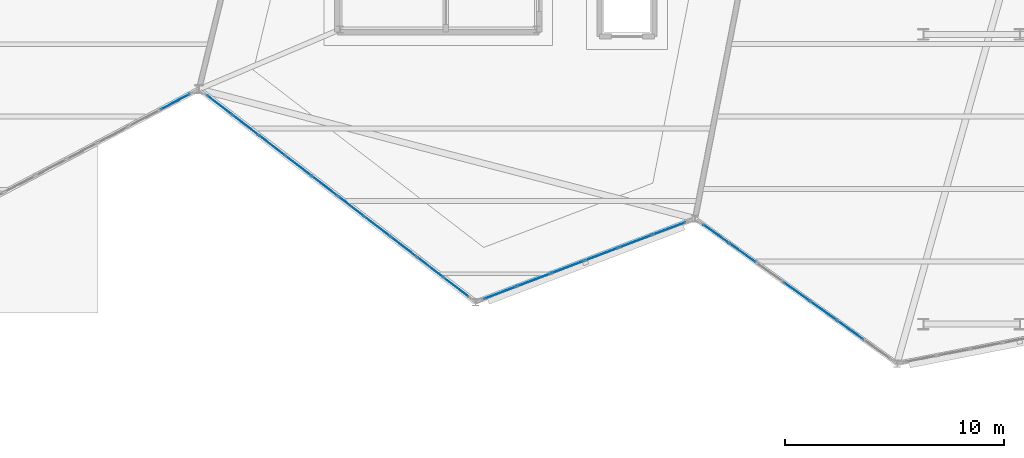
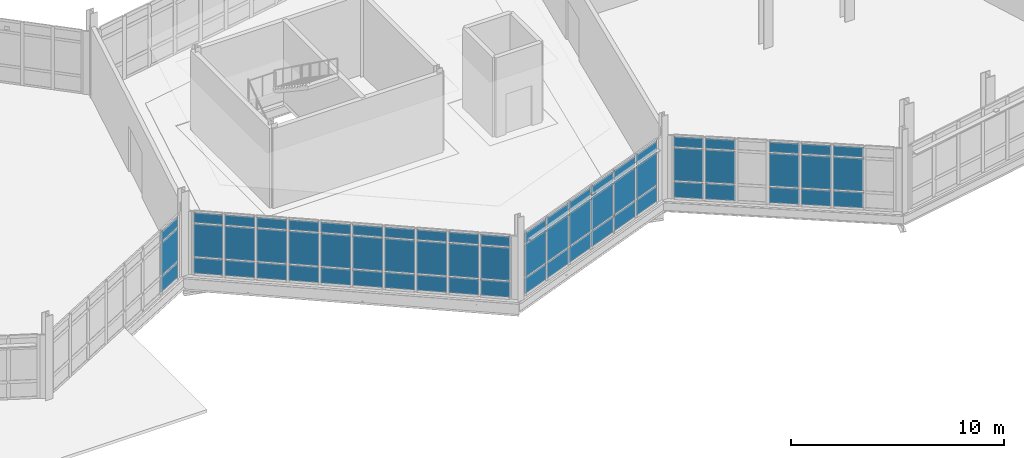
# One storey, part 87 of 134: 66 plates, 4 elements without a shape of their own.
"""IFC4 building model written with IfcOpenShell, lengths in metres."""

from ifc_helpers import new_model, si_unit, direction, frame, origin, origin_2d, place, context, subcontext, project, spatial, rectangle, extrude, material, layer, layer_set, type_object, element, aggregate, save


model = new_model("IFC4")

# Units and contexts
model_context = context("Model", 3, precision=1e-05, world=origin(), true_north=direction((0.0, 1.0)))
body_context = subcontext(model_context, "Body", "Model", "MODEL_VIEW")
ifc_project = project(units=[si_unit("LENGTHUNIT", "METRE"), si_unit("AREAUNIT", "SQUARE_METRE"), si_unit("VOLUMEUNIT", "CUBIC_METRE"), si_unit("PLANEANGLEUNIT", "RADIAN"), si_unit("MASSUNIT", "GRAM", prefix="KILO")], contexts=[model_context])

# Site, building, storey
site_placement = place(None, origin())
site = spatial("IfcSite", under=ifc_project, at=site_placement, CompositionType="ELEMENT")
building_placement = place(site_placement, origin())
building = spatial("IfcBuilding", under=site, at=building_placement, Name="Tameran Prism Museum", CompositionType="ELEMENT")
storey_placement = place(building_placement, frame((0.0, 0.0, 5.39990234375)))
storey = spatial("IfcBuildingStorey", under=building, at=storey_placement, Name="L01", CompositionType="ELEMENT", Elevation=5.39990234375)

# Curtain wall, plates
ifc_material_1 = material(Name="Anodised Aluminium 6063-T6 and Cyclone Solar Glass", Category="aluminium")
curtain_wall_type_1 = type_object("IfcCurtainWallType", Name="CW-FAC-1123x362", PredefinedType="USERDEFINED", material=ifc_material_1)
curtain_wall_1_placement = place(storey_placement, origin())
curtain_wall_1 = element("IfcCurtainWall", 1, at=curtain_wall_1_placement, inside=storey, type_object=curtain_wall_type_1, Name="Unitised Curtain Wall CW-066", ObjectType="UNITISED CURTAIN WALL", PredefinedType="USERDEFINED")
ifc_material_2 = material(Name="Low-E Laminated Solar Glass", Category="glass")
ifc_layer_1 = layer(ifc_material_2, 0.028076171875)
ifc_layer_set_1 = layer_set([ifc_layer_1])
plate_type_1 = type_object("IfcPlateType", Name="CW-PNL-G28", PredefinedType="CURTAIN_PANEL", material=ifc_layer_set_1)
plate_1_placement = place(storey_placement, frame((97.010986328125, 27.625, 0.080078125), z_axis=(0.0, 0.0, 1.0), x_axis=(-0.884175340483, -0.467155185438, 0.0)))
plate_1 = element("IfcPlate", 2, at=plate_1_placement, type_object=plate_type_1, Name="CW-066 panel 1.1", PredefinedType="CURTAIN_PANEL", context=body_context, shape_type="SweptSolid", body=[
    extrude(rectangle(XDim=1.484130859375, YDim=0.028076171875, at=origin_2d()), origin(), (0.0, 0.0, 1.0), 0.8798828125),
])
plate_2_placement = place(storey_placement, frame((97.010986328125, 27.625, 1.0400390625), z_axis=(0.0, 0.0, 1.0), x_axis=(-0.884175340483, -0.467155185438, 0.0)))
plate_2 = element("IfcPlate", 3, at=plate_2_placement, type_object=plate_type_1, Name="CW-066 panel 1.2", PredefinedType="CURTAIN_PANEL", context=body_context, shape_type="SweptSolid", body=[
    extrude(rectangle(XDim=1.484130859375, YDim=0.028076171875, at=origin_2d()), origin(), (0.0, 0.0, 1.0), 1.860107421875),
])
plate_3_placement = place(storey_placement, frame((97.010986328125, 27.625, 2.97998046875), z_axis=(0.0, 0.0, 1.0), x_axis=(-0.884175340483, -0.467155185438, 0.0)))
plate_3 = element("IfcPlate", 4, at=plate_3_placement, type_object=plate_type_1, Name="CW-066 panel 1.3", PredefinedType="CURTAIN_PANEL", context=body_context, shape_type="SweptSolid", body=[
    extrude(rectangle(XDim=1.484130859375, YDim=0.028076171875, at=origin_2d()), origin(), (0.0, 0.0, 1.0), 0.56005859375),
])
aggregate(curtain_wall_1, [plate_1, plate_2, plate_3])

ifc_material_3 = material(Name="Anodised Aluminium 6063-T6 and Cyclone Solar Glass", Category="aluminium")
curtain_wall_type_2 = type_object("IfcCurtainWallType", Name="CW-FAC-994x362", PredefinedType="USERDEFINED", material=ifc_material_3)
curtain_wall_2_placement = place(storey_placement, origin())
curtain_wall_2 = element("IfcCurtainWall", 5, at=curtain_wall_2_placement, inside=storey, type_object=curtain_wall_type_2, Name="Unitised Curtain Wall CW-073", ObjectType="UNITISED CURTAIN WALL", PredefinedType="USERDEFINED")
plate_4_placement = place(storey_placement, frame((119.525390625, 21.85400390625, 0.0751953125), z_axis=(0.0, 0.0, 1.0), x_axis=(-0.934756849189, -0.355288098442, 0.0)))
plate_4 = element("IfcPlate", 6, at=plate_4_placement, type_object=plate_type_1, Name="CW-073 panel 1.1", PredefinedType="CURTAIN_PANEL", context=body_context, shape_type="SweptSolid", body=[
    extrude(rectangle(XDim=1.5439453125, YDim=0.028076171875, at=origin_2d()), origin(), (0.0, 0.0, 1.0), 0.887451171875),
])
plate_5_placement = place(storey_placement, frame((119.525390625, 21.85400390625, 1.03759765625), z_axis=(0.0, 0.0, 1.0), x_axis=(-0.934756849189, -0.355288098442, 0.0)))
plate_5 = element("IfcPlate", 7, at=plate_5_placement, type_object=plate_type_1, Name="CW-073 panel 1.2", PredefinedType="CURTAIN_PANEL", context=body_context, shape_type="SweptSolid", body=[
    extrude(rectangle(XDim=1.5439453125, YDim=0.028076171875, at=origin_2d()), origin(), (0.0, 0.0, 1.0), 1.864990234375),
])
plate_6_placement = place(storey_placement, frame((119.525390625, 21.85400390625, 2.9775390625), z_axis=(0.0, 0.0, 1.0), x_axis=(-0.934756849189, -0.355288098442, 0.0)))
plate_6 = element("IfcPlate", 8, at=plate_6_placement, type_object=plate_type_1, Name="CW-073 panel 1.3", PredefinedType="CURTAIN_PANEL", context=body_context, shape_type="SweptSolid", body=[
    extrude(rectangle(XDim=1.5439453125, YDim=0.028076171875, at=origin_2d()), origin(), (0.0, 0.0, 1.0), 0.5673828125),
])
plate_7_placement = place(storey_placement, frame((117.994384765625, 21.272216796875, 0.0751953125), z_axis=(0.0, 0.0, 1.0), x_axis=(-0.934756849189, -0.355288098442, 0.0)))
plate_7 = element("IfcPlate", 9, at=plate_7_placement, type_object=plate_type_1, Name="CW-073 panel 2.1", PredefinedType="CURTAIN_PANEL", context=body_context, shape_type="SweptSolid", body=[
    extrude(rectangle(XDim=1.581298828125, YDim=0.028076171875, at=origin_2d()), origin(), (0.0, 0.0, 1.0), 0.887451171875),
])
plate_8_placement = place(storey_placement, frame((117.994384765625, 21.272216796875, 1.03759765625), z_axis=(0.0, 0.0, 1.0), x_axis=(-0.934756849189, -0.355288098442, 0.0)))
plate_8 = element("IfcPlate", 10, at=plate_8_placement, type_object=plate_type_1, Name="CW-073 panel 2.2", PredefinedType="CURTAIN_PANEL", context=body_context, shape_type="SweptSolid", body=[
    extrude(rectangle(XDim=1.581298828125, YDim=0.028076171875, at=origin_2d()), origin(), (0.0, 0.0, 1.0), 1.864990234375),
])
plate_9_placement = place(storey_placement, frame((117.994384765625, 21.272216796875, 2.9775390625), z_axis=(0.0, 0.0, 1.0), x_axis=(-0.934756849189, -0.355288098442, 0.0)))
plate_9 = element("IfcPlate", 11, at=plate_9_placement, type_object=plate_type_1, Name="CW-073 panel 2.3", PredefinedType="CURTAIN_PANEL", context=body_context, shape_type="SweptSolid", body=[
    extrude(rectangle(XDim=1.581298828125, YDim=0.028076171875, at=origin_2d()), origin(), (0.0, 0.0, 1.0), 0.5673828125),
])
plate_10_placement = place(storey_placement, frame((116.446044921875, 20.683837890625, 0.0751953125), z_axis=(0.0, 0.0, 1.0), x_axis=(-0.934756849189, -0.355288098442, 0.0)))
plate_10 = element("IfcPlate", 12, at=plate_10_placement, type_object=plate_type_1, Name="CW-073 panel 3.1", PredefinedType="CURTAIN_PANEL", context=body_context, shape_type="SweptSolid", body=[
    extrude(rectangle(XDim=1.581298828125, YDim=0.028076171875, at=origin_2d()), origin(), (0.0, 0.0, 1.0), 0.887451171875),
])
plate_11_placement = place(storey_placement, frame((116.446044921875, 20.683837890625, 1.03759765625), z_axis=(0.0, 0.0, 1.0), x_axis=(-0.934756849189, -0.355288098442, 0.0)))
plate_11 = element("IfcPlate", 13, at=plate_11_placement, type_object=plate_type_1, Name="CW-073 panel 3.2", PredefinedType="CURTAIN_PANEL", context=body_context, shape_type="SweptSolid", body=[
    extrude(rectangle(XDim=1.581298828125, YDim=0.028076171875, at=origin_2d()), origin(), (0.0, 0.0, 1.0), 1.864990234375),
])
plate_12_placement = place(storey_placement, frame((116.446044921875, 20.683837890625, 2.9775390625), z_axis=(0.0, 0.0, 1.0), x_axis=(-0.934756849189, -0.355288098442, 0.0)))
plate_12 = element("IfcPlate", 14, at=plate_12_placement, type_object=plate_type_1, Name="CW-073 panel 3.3", PredefinedType="CURTAIN_PANEL", context=body_context, shape_type="SweptSolid", body=[
    extrude(rectangle(XDim=1.581298828125, YDim=0.028076171875, at=origin_2d()), origin(), (0.0, 0.0, 1.0), 0.5673828125),
])
plate_13_placement = place(storey_placement, frame((114.89794921875, 20.09521484375, 0.0751953125), z_axis=(0.0, 0.0, 1.0), x_axis=(-0.934756849189, -0.355288098442, 0.0)))
plate_13 = element("IfcPlate", 15, at=plate_13_placement, type_object=plate_type_1, Name="CW-073 panel 4.1", PredefinedType="CURTAIN_PANEL", context=body_context, shape_type="SweptSolid", body=[
    extrude(rectangle(XDim=1.581298828125, YDim=0.028076171875, at=origin_2d()), origin(), (0.0, 0.0, 1.0), 0.887451171875),
])
plate_14_placement = place(storey_placement, frame((114.89794921875, 20.09521484375, 1.03759765625), z_axis=(0.0, 0.0, 1.0), x_axis=(-0.934756849189, -0.355288098442, 0.0)))
plate_14 = element("IfcPlate", 16, at=plate_14_placement, type_object=plate_type_1, Name="CW-073 panel 4.2", PredefinedType="CURTAIN_PANEL", context=body_context, shape_type="SweptSolid", body=[
    extrude(rectangle(XDim=1.581298828125, YDim=0.028076171875, at=origin_2d()), origin(), (0.0, 0.0, 1.0), 1.864990234375),
])
plate_15_placement = place(storey_placement, frame((114.89794921875, 20.09521484375, 2.9775390625), z_axis=(0.0, 0.0, 1.0), x_axis=(-0.934756849189, -0.355288098442, 0.0)))
plate_15 = element("IfcPlate", 17, at=plate_15_placement, type_object=plate_type_1, Name="CW-073 panel 4.3", PredefinedType="CURTAIN_PANEL", context=body_context, shape_type="SweptSolid", body=[
    extrude(rectangle(XDim=1.581298828125, YDim=0.028076171875, at=origin_2d()), origin(), (0.0, 0.0, 1.0), 0.5673828125),
])
plate_16_placement = place(storey_placement, frame((113.349609375, 19.5068359375, 0.0751953125), z_axis=(0.0, 0.0, 1.0), x_axis=(-0.934756849189, -0.355288098442, 0.0)))
plate_16 = element("IfcPlate", 18, at=plate_16_placement, type_object=plate_type_1, Name="CW-073 panel 5.1", PredefinedType="CURTAIN_PANEL", context=body_context, shape_type="SweptSolid", body=[
    extrude(rectangle(XDim=1.581298828125, YDim=0.028076171875, at=origin_2d()), origin(), (0.0, 0.0, 1.0), 0.887451171875),
])
plate_17_placement = place(storey_placement, frame((113.349609375, 19.5068359375, 1.03759765625), z_axis=(0.0, 0.0, 1.0), x_axis=(-0.934756849189, -0.355288098442, 0.0)))
plate_17 = element("IfcPlate", 19, at=plate_17_placement, type_object=plate_type_1, Name="CW-073 panel 5.2", PredefinedType="CURTAIN_PANEL", context=body_context, shape_type="SweptSolid", body=[
    extrude(rectangle(XDim=1.581298828125, YDim=0.028076171875, at=origin_2d()), origin(), (0.0, 0.0, 1.0), 1.864990234375),
])
plate_18_placement = place(storey_placement, frame((113.349609375, 19.5068359375, 2.9775390625), z_axis=(0.0, 0.0, 1.0), x_axis=(-0.934756849189, -0.355288098442, 0.0)))
plate_18 = element("IfcPlate", 20, at=plate_18_placement, type_object=plate_type_1, Name="CW-073 panel 5.3", PredefinedType="CURTAIN_PANEL", context=body_context, shape_type="SweptSolid", body=[
    extrude(rectangle(XDim=1.581298828125, YDim=0.028076171875, at=origin_2d()), origin(), (0.0, 0.0, 1.0), 0.5673828125),
])
plate_19_placement = place(storey_placement, frame((111.818603515625, 18.9248046875, 0.0751953125), z_axis=(0.0, 0.0, 1.0), x_axis=(-0.934756849189, -0.355288098442, 0.0)))
plate_19 = element("IfcPlate", 21, at=plate_19_placement, type_object=plate_type_1, Name="CW-073 panel 6.1", PredefinedType="CURTAIN_PANEL", context=body_context, shape_type="SweptSolid", body=[
    extrude(rectangle(XDim=1.5439453125, YDim=0.028076171875, at=origin_2d()), origin(), (0.0, 0.0, 1.0), 0.887451171875),
])
plate_20_placement = place(storey_placement, frame((111.818603515625, 18.9248046875, 1.03759765625), z_axis=(0.0, 0.0, 1.0), x_axis=(-0.934756849189, -0.355288098442, 0.0)))
plate_20 = element("IfcPlate", 22, at=plate_20_placement, type_object=plate_type_1, Name="CW-073 panel 6.2", PredefinedType="CURTAIN_PANEL", context=body_context, shape_type="SweptSolid", body=[
    extrude(rectangle(XDim=1.5439453125, YDim=0.028076171875, at=origin_2d()), origin(), (0.0, 0.0, 1.0), 1.864990234375),
])
plate_21_placement = place(storey_placement, frame((111.818603515625, 18.9248046875, 2.9775390625), z_axis=(0.0, 0.0, 1.0), x_axis=(-0.934756849189, -0.355288098442, 0.0)))
plate_21 = element("IfcPlate", 23, at=plate_21_placement, type_object=plate_type_1, Name="CW-073 panel 6.3", PredefinedType="CURTAIN_PANEL", context=body_context, shape_type="SweptSolid", body=[
    extrude(rectangle(XDim=1.5439453125, YDim=0.028076171875, at=origin_2d()), origin(), (0.0, 0.0, 1.0), 0.5673828125),
])
aggregate(curtain_wall_2, [plate_4, plate_5, plate_6, plate_7, plate_8, plate_9, plate_10, plate_11, plate_12, plate_13, plate_14, plate_15, plate_16, plate_17, plate_18, plate_19, plate_20, plate_21])

ifc_material_4 = material(Name="Anodised Aluminium 6063-T6 and Cyclone Solar Glass", Category="aluminium")
curtain_wall_type_3 = type_object("IfcCurtainWallType", Name="CW-FAC-1514x362", PredefinedType="USERDEFINED", material=ifc_material_4)
curtain_wall_3_placement = place(storey_placement, origin())
curtain_wall_3 = element("IfcCurtainWall", 24, at=curtain_wall_3_placement, inside=storey, type_object=curtain_wall_type_3, Name="Unitised Curtain Wall CW-072", ObjectType="UNITISED CURTAIN WALL", PredefinedType="USERDEFINED")
ifc_material_5 = material(Name="Cyclone Laminated Solar Glass", Category="glass")
ifc_layer_2 = layer(ifc_material_5, 0.031982421875)
ifc_layer_set_2 = layer_set([ifc_layer_2])
plate_type_2 = type_object("IfcPlateType", Name="CW-PNL-G32", PredefinedType="CURTAIN_PANEL", material=ifc_layer_set_2)
plate_22_placement = place(storey_placement, frame((109.80908203125, 19.185546875, 0.070068359375), z_axis=(0.0, 0.0, 1.0), x_axis=(-0.79240053299, 0.610001143702, 0.0)))
plate_22 = element("IfcPlate", 25, at=plate_22_placement, type_object=plate_type_2, Name="CW-072 panel 1.1", PredefinedType="CURTAIN_PANEL", context=body_context, shape_type="SweptSolid", body=[
    extrude(rectangle(XDim=1.4091796875, YDim=0.031982421875, at=origin_2d()), origin(), (0.0, 0.0, 1.0), 0.89501953125),
])
plate_23_placement = place(storey_placement, frame((109.80908203125, 19.185546875, 1.03515625), z_axis=(0.0, 0.0, 1.0), x_axis=(-0.79240053299, 0.610001143702, 0.0)))
plate_23 = element("IfcPlate", 26, at=plate_23_placement, type_object=plate_type_2, Name="CW-072 panel 1.2", PredefinedType="CURTAIN_PANEL", context=body_context, shape_type="SweptSolid", body=[
    extrude(rectangle(XDim=1.4091796875, YDim=0.031982421875, at=origin_2d()), origin(), (0.0, 0.0, 1.0), 1.8701171875),
])
plate_24_placement = place(storey_placement, frame((109.80908203125, 19.185546875, 2.97509765625), z_axis=(0.0, 0.0, 1.0), x_axis=(-0.79240053299, 0.610001143702, 0.0)))
plate_24 = element("IfcPlate", 27, at=plate_24_placement, type_object=plate_type_2, Name="CW-072 panel 1.3", PredefinedType="CURTAIN_PANEL", context=body_context, shape_type="SweptSolid", body=[
    extrude(rectangle(XDim=1.4091796875, YDim=0.031982421875, at=origin_2d()), origin(), (0.0, 0.0, 1.0), 0.574951171875),
])
plate_25_placement = place(storey_placement, frame((108.623046875, 20.0986328125, 0.070068359375), z_axis=(0.0, 0.0, 1.0), x_axis=(-0.79240053299, 0.610001143702, 0.0)))
plate_25 = element("IfcPlate", 28, at=plate_25_placement, type_object=plate_type_2, Name="CW-072 panel 2.1", PredefinedType="CURTAIN_PANEL", context=body_context, shape_type="SweptSolid", body=[
    extrude(rectangle(XDim=1.4443359375, YDim=0.031982421875, at=origin_2d()), origin(), (0.0, 0.0, 1.0), 0.89501953125),
])
plate_26_placement = place(storey_placement, frame((108.623046875, 20.0986328125, 1.03515625), z_axis=(0.0, 0.0, 1.0), x_axis=(-0.79240053299, 0.610001143702, 0.0)))
plate_26 = element("IfcPlate", 29, at=plate_26_placement, type_object=plate_type_2, Name="CW-072 panel 2.2", PredefinedType="CURTAIN_PANEL", context=body_context, shape_type="SweptSolid", body=[
    extrude(rectangle(XDim=1.4443359375, YDim=0.031982421875, at=origin_2d()), origin(), (0.0, 0.0, 1.0), 1.8701171875),
])
plate_27_placement = place(storey_placement, frame((108.623046875, 20.0986328125, 2.97509765625), z_axis=(0.0, 0.0, 1.0), x_axis=(-0.79240053299, 0.610001143702, 0.0)))
plate_27 = element("IfcPlate", 30, at=plate_27_placement, type_object=plate_type_2, Name="CW-072 panel 2.3", PredefinedType="CURTAIN_PANEL", context=body_context, shape_type="SweptSolid", body=[
    extrude(rectangle(XDim=1.4443359375, YDim=0.031982421875, at=origin_2d()), origin(), (0.0, 0.0, 1.0), 0.574951171875),
])
plate_28_placement = place(storey_placement, frame((107.42333984375, 21.022216796875, 0.070068359375), z_axis=(0.0, 0.0, 1.0), x_axis=(-0.79240053299, 0.610001143702, 0.0)))
plate_28 = element("IfcPlate", 31, at=plate_28_placement, type_object=plate_type_2, Name="CW-072 panel 3.1", PredefinedType="CURTAIN_PANEL", context=body_context, shape_type="SweptSolid", body=[
    extrude(rectangle(XDim=1.4443359375, YDim=0.031982421875, at=origin_2d()), origin(), (0.0, 0.0, 1.0), 0.89501953125),
])
plate_29_placement = place(storey_placement, frame((107.42333984375, 21.022216796875, 1.03515625), z_axis=(0.0, 0.0, 1.0), x_axis=(-0.79240053299, 0.610001143702, 0.0)))
plate_29 = element("IfcPlate", 32, at=plate_29_placement, type_object=plate_type_2, Name="CW-072 panel 3.2", PredefinedType="CURTAIN_PANEL", context=body_context, shape_type="SweptSolid", body=[
    extrude(rectangle(XDim=1.4443359375, YDim=0.031982421875, at=origin_2d()), origin(), (0.0, 0.0, 1.0), 1.8701171875),
])
plate_30_placement = place(storey_placement, frame((107.42333984375, 21.022216796875, 2.97509765625), z_axis=(0.0, 0.0, 1.0), x_axis=(-0.79240053299, 0.610001143702, 0.0)))
plate_30 = element("IfcPlate", 33, at=plate_30_placement, type_object=plate_type_2, Name="CW-072 panel 3.3", PredefinedType="CURTAIN_PANEL", context=body_context, shape_type="SweptSolid", body=[
    extrude(rectangle(XDim=1.4443359375, YDim=0.031982421875, at=origin_2d()), origin(), (0.0, 0.0, 1.0), 0.574951171875),
])
plate_31_placement = place(storey_placement, frame((106.223388671875, 21.946044921875, 0.070068359375), z_axis=(0.0, 0.0, 1.0), x_axis=(-0.79240053299, 0.610001143702, 0.0)))
plate_31 = element("IfcPlate", 34, at=plate_31_placement, type_object=plate_type_2, Name="CW-072 panel 4.1", PredefinedType="CURTAIN_PANEL", context=body_context, shape_type="SweptSolid", body=[
    extrude(rectangle(XDim=1.4443359375, YDim=0.031982421875, at=origin_2d()), origin(), (0.0, 0.0, 1.0), 0.89501953125),
])
plate_32_placement = place(storey_placement, frame((106.223388671875, 21.946044921875, 1.03515625), z_axis=(0.0, 0.0, 1.0), x_axis=(-0.79240053299, 0.610001143702, 0.0)))
plate_32 = element("IfcPlate", 35, at=plate_32_placement, type_object=plate_type_2, Name="CW-072 panel 4.2", PredefinedType="CURTAIN_PANEL", context=body_context, shape_type="SweptSolid", body=[
    extrude(rectangle(XDim=1.4443359375, YDim=0.031982421875, at=origin_2d()), origin(), (0.0, 0.0, 1.0), 1.8701171875),
])
plate_33_placement = place(storey_placement, frame((106.223388671875, 21.946044921875, 2.97509765625), z_axis=(0.0, 0.0, 1.0), x_axis=(-0.79240053299, 0.610001143702, 0.0)))
plate_33 = element("IfcPlate", 36, at=plate_33_placement, type_object=plate_type_2, Name="CW-072 panel 4.3", PredefinedType="CURTAIN_PANEL", context=body_context, shape_type="SweptSolid", body=[
    extrude(rectangle(XDim=1.4443359375, YDim=0.031982421875, at=origin_2d()), origin(), (0.0, 0.0, 1.0), 0.574951171875),
])
plate_34_placement = place(storey_placement, frame((105.0234375, 22.86962890625, 0.070068359375), z_axis=(0.0, 0.0, 1.0), x_axis=(-0.79240053299, 0.610001143702, 0.0)))
plate_34 = element("IfcPlate", 37, at=plate_34_placement, type_object=plate_type_2, Name="CW-072 panel 5.1", PredefinedType="CURTAIN_PANEL", context=body_context, shape_type="SweptSolid", body=[
    extrude(rectangle(XDim=1.4443359375, YDim=0.031982421875, at=origin_2d()), origin(), (0.0, 0.0, 1.0), 0.89501953125),
])
plate_35_placement = place(storey_placement, frame((105.0234375, 22.86962890625, 1.03515625), z_axis=(0.0, 0.0, 1.0), x_axis=(-0.79240053299, 0.610001143702, 0.0)))
plate_35 = element("IfcPlate", 38, at=plate_35_placement, type_object=plate_type_2, Name="CW-072 panel 5.2", PredefinedType="CURTAIN_PANEL", context=body_context, shape_type="SweptSolid", body=[
    extrude(rectangle(XDim=1.4443359375, YDim=0.031982421875, at=origin_2d()), origin(), (0.0, 0.0, 1.0), 1.8701171875),
])
plate_36_placement = place(storey_placement, frame((105.0234375, 22.86962890625, 2.97509765625), z_axis=(0.0, 0.0, 1.0), x_axis=(-0.79240053299, 0.610001143702, 0.0)))
plate_36 = element("IfcPlate", 39, at=plate_36_placement, type_object=plate_type_2, Name="CW-072 panel 5.3", PredefinedType="CURTAIN_PANEL", context=body_context, shape_type="SweptSolid", body=[
    extrude(rectangle(XDim=1.4443359375, YDim=0.031982421875, at=origin_2d()), origin(), (0.0, 0.0, 1.0), 0.574951171875),
])
plate_37_placement = place(storey_placement, frame((103.823486328125, 23.79345703125, 0.070068359375), z_axis=(0.0, 0.0, 1.0), x_axis=(-0.79240053299, 0.610001143702, 0.0)))
plate_37 = element("IfcPlate", 40, at=plate_37_placement, type_object=plate_type_2, Name="CW-072 panel 6.1", PredefinedType="CURTAIN_PANEL", context=body_context, shape_type="SweptSolid", body=[
    extrude(rectangle(XDim=1.4443359375, YDim=0.031982421875, at=origin_2d()), origin(), (0.0, 0.0, 1.0), 0.89501953125),
])
plate_38_placement = place(storey_placement, frame((103.823486328125, 23.79345703125, 1.03515625), z_axis=(0.0, 0.0, 1.0), x_axis=(-0.79240053299, 0.610001143702, 0.0)))
plate_38 = element("IfcPlate", 41, at=plate_38_placement, type_object=plate_type_2, Name="CW-072 panel 6.2", PredefinedType="CURTAIN_PANEL", context=body_context, shape_type="SweptSolid", body=[
    extrude(rectangle(XDim=1.4443359375, YDim=0.031982421875, at=origin_2d()), origin(), (0.0, 0.0, 1.0), 1.8701171875),
])
plate_39_placement = place(storey_placement, frame((103.823486328125, 23.79345703125, 2.97509765625), z_axis=(0.0, 0.0, 1.0), x_axis=(-0.79240053299, 0.610001143702, 0.0)))
plate_39 = element("IfcPlate", 42, at=plate_39_placement, type_object=plate_type_2, Name="CW-072 panel 6.3", PredefinedType="CURTAIN_PANEL", context=body_context, shape_type="SweptSolid", body=[
    extrude(rectangle(XDim=1.4443359375, YDim=0.031982421875, at=origin_2d()), origin(), (0.0, 0.0, 1.0), 0.574951171875),
])
plate_40_placement = place(storey_placement, frame((102.62353515625, 24.717041015625, 0.070068359375), z_axis=(0.0, 0.0, 1.0), x_axis=(-0.79240053299, 0.610001143702, 0.0)))
plate_40 = element("IfcPlate", 43, at=plate_40_placement, type_object=plate_type_2, Name="CW-072 panel 7.1", PredefinedType="CURTAIN_PANEL", context=body_context, shape_type="SweptSolid", body=[
    extrude(rectangle(XDim=1.4443359375, YDim=0.031982421875, at=origin_2d()), origin(), (0.0, 0.0, 1.0), 0.89501953125),
])
plate_41_placement = place(storey_placement, frame((102.62353515625, 24.717041015625, 1.03515625), z_axis=(0.0, 0.0, 1.0), x_axis=(-0.79240053299, 0.610001143702, 0.0)))
plate_41 = element("IfcPlate", 44, at=plate_41_placement, type_object=plate_type_2, Name="CW-072 panel 7.2", PredefinedType="CURTAIN_PANEL", context=body_context, shape_type="SweptSolid", body=[
    extrude(rectangle(XDim=1.4443359375, YDim=0.031982421875, at=origin_2d()), origin(), (0.0, 0.0, 1.0), 1.8701171875),
])
plate_42_placement = place(storey_placement, frame((102.62353515625, 24.717041015625, 2.97509765625), z_axis=(0.0, 0.0, 1.0), x_axis=(-0.79240053299, 0.610001143702, 0.0)))
plate_42 = element("IfcPlate", 45, at=plate_42_placement, type_object=plate_type_2, Name="CW-072 panel 7.3", PredefinedType="CURTAIN_PANEL", context=body_context, shape_type="SweptSolid", body=[
    extrude(rectangle(XDim=1.4443359375, YDim=0.031982421875, at=origin_2d()), origin(), (0.0, 0.0, 1.0), 0.574951171875),
])
plate_43_placement = place(storey_placement, frame((101.423828125, 25.640869140625, 0.070068359375), z_axis=(0.0, 0.0, 1.0), x_axis=(-0.79240053299, 0.610001143702, 0.0)))
plate_43 = element("IfcPlate", 46, at=plate_43_placement, type_object=plate_type_2, Name="CW-072 panel 8.1", PredefinedType="CURTAIN_PANEL", context=body_context, shape_type="SweptSolid", body=[
    extrude(rectangle(XDim=1.4443359375, YDim=0.031982421875, at=origin_2d()), origin(), (0.0, 0.0, 1.0), 0.89501953125),
])
plate_44_placement = place(storey_placement, frame((101.423828125, 25.640869140625, 1.03515625), z_axis=(0.0, 0.0, 1.0), x_axis=(-0.79240053299, 0.610001143702, 0.0)))
plate_44 = element("IfcPlate", 47, at=plate_44_placement, type_object=plate_type_2, Name="CW-072 panel 8.2", PredefinedType="CURTAIN_PANEL", context=body_context, shape_type="SweptSolid", body=[
    extrude(rectangle(XDim=1.4443359375, YDim=0.031982421875, at=origin_2d()), origin(), (0.0, 0.0, 1.0), 1.8701171875),
])
plate_45_placement = place(storey_placement, frame((101.423828125, 25.640869140625, 2.97509765625), z_axis=(0.0, 0.0, 1.0), x_axis=(-0.79240053299, 0.610001143702, 0.0)))
plate_45 = element("IfcPlate", 48, at=plate_45_placement, type_object=plate_type_2, Name="CW-072 panel 8.3", PredefinedType="CURTAIN_PANEL", context=body_context, shape_type="SweptSolid", body=[
    extrude(rectangle(XDim=1.4443359375, YDim=0.031982421875, at=origin_2d()), origin(), (0.0, 0.0, 1.0), 0.574951171875),
])
plate_46_placement = place(storey_placement, frame((100.223876953125, 26.564453125, 0.070068359375), z_axis=(0.0, 0.0, 1.0), x_axis=(-0.79240053299, 0.610001143702, 0.0)))
plate_46 = element("IfcPlate", 49, at=plate_46_placement, type_object=plate_type_2, Name="CW-072 panel 9.1", PredefinedType="CURTAIN_PANEL", context=body_context, shape_type="SweptSolid", body=[
    extrude(rectangle(XDim=1.4443359375, YDim=0.031982421875, at=origin_2d()), origin(), (0.0, 0.0, 1.0), 0.89501953125),
])
plate_47_placement = place(storey_placement, frame((100.223876953125, 26.564453125, 1.03515625), z_axis=(0.0, 0.0, 1.0), x_axis=(-0.79240053299, 0.610001143702, 0.0)))
plate_47 = element("IfcPlate", 50, at=plate_47_placement, type_object=plate_type_2, Name="CW-072 panel 9.2", PredefinedType="CURTAIN_PANEL", context=body_context, shape_type="SweptSolid", body=[
    extrude(rectangle(XDim=1.4443359375, YDim=0.031982421875, at=origin_2d()), origin(), (0.0, 0.0, 1.0), 1.8701171875),
])
plate_48_placement = place(storey_placement, frame((100.223876953125, 26.564453125, 2.97509765625), z_axis=(0.0, 0.0, 1.0), x_axis=(-0.79240053299, 0.610001143702, 0.0)))
plate_48 = element("IfcPlate", 51, at=plate_48_placement, type_object=plate_type_2, Name="CW-072 panel 9.3", PredefinedType="CURTAIN_PANEL", context=body_context, shape_type="SweptSolid", body=[
    extrude(rectangle(XDim=1.4443359375, YDim=0.031982421875, at=origin_2d()), origin(), (0.0, 0.0, 1.0), 0.574951171875),
])
plate_49_placement = place(storey_placement, frame((99.037841796875, 27.4775390625, 0.070068359375), z_axis=(0.0, 0.0, 1.0), x_axis=(-0.79240053299, 0.610001143702, 0.0)))
plate_49 = element("IfcPlate", 52, at=plate_49_placement, type_object=plate_type_2, Name="CW-072 panel 10.1", PredefinedType="CURTAIN_PANEL", context=body_context, shape_type="SweptSolid", body=[
    extrude(rectangle(XDim=1.4091796875, YDim=0.031982421875, at=origin_2d()), origin(), (0.0, 0.0, 1.0), 0.89501953125),
])
plate_50_placement = place(storey_placement, frame((99.037841796875, 27.4775390625, 1.03515625), z_axis=(0.0, 0.0, 1.0), x_axis=(-0.79240053299, 0.610001143702, 0.0)))
plate_50 = element("IfcPlate", 53, at=plate_50_placement, type_object=plate_type_2, Name="CW-072 panel 10.2", PredefinedType="CURTAIN_PANEL", context=body_context, shape_type="SweptSolid", body=[
    extrude(rectangle(XDim=1.4091796875, YDim=0.031982421875, at=origin_2d()), origin(), (0.0, 0.0, 1.0), 1.8701171875),
])
plate_51_placement = place(storey_placement, frame((99.037841796875, 27.4775390625, 2.97509765625), z_axis=(0.0, 0.0, 1.0), x_axis=(-0.79240053299, 0.610001143702, 0.0)))
plate_51 = element("IfcPlate", 54, at=plate_51_placement, type_object=plate_type_2, Name="CW-072 panel 10.3", PredefinedType="CURTAIN_PANEL", context=body_context, shape_type="SweptSolid", body=[
    extrude(rectangle(XDim=1.4091796875, YDim=0.031982421875, at=origin_2d()), origin(), (0.0, 0.0, 1.0), 0.574951171875),
])
aggregate(curtain_wall_3, [plate_22, plate_23, plate_24, plate_25, plate_26, plate_27, plate_28, plate_29, plate_30, plate_31, plate_32, plate_33, plate_34, plate_35, plate_36, plate_37, plate_38, plate_39, plate_40, plate_41, plate_42, plate_43, plate_44, plate_45, plate_46, plate_47, plate_48, plate_49, plate_50, plate_51])

ifc_material_6 = material(Name="Anodised Aluminium 6063-T6 and Cyclone Solar Glass", Category="aluminium")
curtain_wall_type_4 = type_object("IfcCurtainWallType", Name="CW-FAC-1056x362", PredefinedType="USERDEFINED", material=ifc_material_6)
curtain_wall_4_placement = place(storey_placement, origin())
curtain_wall_4 = element("IfcCurtainWall", 55, at=curtain_wall_4_placement, inside=storey, type_object=curtain_wall_type_4, Name="Unitised Curtain Wall CW-076", ObjectType="UNITISED CURTAIN WALL", PredefinedType="USERDEFINED")
plate_52_placement = place(storey_placement, frame((127.77685546875, 17.223388671875, 0.070068359375), z_axis=(0.0, 0.0, 1.0), x_axis=(-0.812554821293, 0.582884776259, 0.0)))
plate_52 = element("IfcPlate", 56, at=plate_52_placement, type_object=plate_type_2, Name="CW-076 panel 2.1", PredefinedType="CURTAIN_PANEL", context=body_context, shape_type="SweptSolid", body=[
    extrude(rectangle(XDim=1.43896484375, YDim=0.031982421875, at=origin_2d()), origin(), (0.0, 0.0, 1.0), 0.89501953125),
])
plate_53_placement = place(storey_placement, frame((127.77685546875, 17.223388671875, 1.03515625), z_axis=(0.0, 0.0, 1.0), x_axis=(-0.812554821293, 0.582884776259, 0.0)))
plate_53 = element("IfcPlate", 57, at=plate_53_placement, type_object=plate_type_2, Name="CW-076 panel 2.2", PredefinedType="CURTAIN_PANEL", context=body_context, shape_type="SweptSolid", body=[
    extrude(rectangle(XDim=1.43896484375, YDim=0.031982421875, at=origin_2d()), origin(), (0.0, 0.0, 1.0), 1.8701171875),
])
plate_54_placement = place(storey_placement, frame((127.77685546875, 17.223388671875, 2.97509765625), z_axis=(0.0, 0.0, 1.0), x_axis=(-0.812554821293, 0.582884776259, 0.0)))
plate_54 = element("IfcPlate", 58, at=plate_54_placement, type_object=plate_type_2, Name="CW-076 panel 2.3", PredefinedType="CURTAIN_PANEL", context=body_context, shape_type="SweptSolid", body=[
    extrude(rectangle(XDim=1.43896484375, YDim=0.031982421875, at=origin_2d()), origin(), (0.0, 0.0, 1.0), 0.574951171875),
])
plate_55_placement = place(storey_placement, frame((126.550537109375, 18.10302734375, 0.070068359375), z_axis=(0.0, 0.0, 1.0), x_axis=(-0.812554821293, 0.582884776259, 0.0)))
plate_55 = element("IfcPlate", 59, at=plate_55_placement, type_object=plate_type_2, Name="CW-076 panel 3.1", PredefinedType="CURTAIN_PANEL", context=body_context, shape_type="SweptSolid", body=[
    extrude(rectangle(XDim=1.43896484375, YDim=0.031982421875, at=origin_2d()), origin(), (0.0, 0.0, 1.0), 0.89501953125),
])
plate_56_placement = place(storey_placement, frame((126.550537109375, 18.10302734375, 1.03515625), z_axis=(0.0, 0.0, 1.0), x_axis=(-0.812554821293, 0.582884776259, 0.0)))
plate_56 = element("IfcPlate", 60, at=plate_56_placement, type_object=plate_type_2, Name="CW-076 panel 3.2", PredefinedType="CURTAIN_PANEL", context=body_context, shape_type="SweptSolid", body=[
    extrude(rectangle(XDim=1.43896484375, YDim=0.031982421875, at=origin_2d()), origin(), (0.0, 0.0, 1.0), 1.8701171875),
])
plate_57_placement = place(storey_placement, frame((126.550537109375, 18.10302734375, 2.97509765625), z_axis=(0.0, 0.0, 1.0), x_axis=(-0.812554821293, 0.582884776259, 0.0)))
plate_57 = element("IfcPlate", 61, at=plate_57_placement, type_object=plate_type_2, Name="CW-076 panel 3.3", PredefinedType="CURTAIN_PANEL", context=body_context, shape_type="SweptSolid", body=[
    extrude(rectangle(XDim=1.43896484375, YDim=0.031982421875, at=origin_2d()), origin(), (0.0, 0.0, 1.0), 0.574951171875),
])
plate_58_placement = place(storey_placement, frame((125.324462890625, 18.982421875, 0.070068359375), z_axis=(0.0, 0.0, 1.0), x_axis=(-0.812554821293, 0.582884776259, 0.0)))
plate_58 = element("IfcPlate", 62, at=plate_58_placement, type_object=plate_type_2, Name="CW-076 panel 4.1", PredefinedType="CURTAIN_PANEL", context=body_context, shape_type="SweptSolid", body=[
    extrude(rectangle(XDim=1.43896484375, YDim=0.031982421875, at=origin_2d()), origin(), (0.0, 0.0, 1.0), 0.89501953125),
])
plate_59_placement = place(storey_placement, frame((125.324462890625, 18.982421875, 1.03515625), z_axis=(0.0, 0.0, 1.0), x_axis=(-0.812554821293, 0.582884776259, 0.0)))
plate_59 = element("IfcPlate", 63, at=plate_59_placement, type_object=plate_type_2, Name="CW-076 panel 4.2", PredefinedType="CURTAIN_PANEL", context=body_context, shape_type="SweptSolid", body=[
    extrude(rectangle(XDim=1.43896484375, YDim=0.031982421875, at=origin_2d()), origin(), (0.0, 0.0, 1.0), 1.8701171875),
])
plate_60_placement = place(storey_placement, frame((125.324462890625, 18.982421875, 2.97509765625), z_axis=(0.0, 0.0, 1.0), x_axis=(-0.812554821293, 0.582884776259, 0.0)))
plate_60 = element("IfcPlate", 64, at=plate_60_placement, type_object=plate_type_2, Name="CW-076 panel 4.3", PredefinedType="CURTAIN_PANEL", context=body_context, shape_type="SweptSolid", body=[
    extrude(rectangle(XDim=1.43896484375, YDim=0.031982421875, at=origin_2d()), origin(), (0.0, 0.0, 1.0), 0.574951171875),
])
plate_61_placement = place(storey_placement, frame((122.872314453125, 20.74169921875, 0.070068359375), z_axis=(0.0, 0.0, 1.0), x_axis=(-0.812554821293, 0.582884776259, 0.0)))
plate_61 = element("IfcPlate", 65, at=plate_61_placement, type_object=plate_type_2, Name="CW-076 panel 6.1", PredefinedType="CURTAIN_PANEL", context=body_context, shape_type="SweptSolid", body=[
    extrude(rectangle(XDim=1.43896484375, YDim=0.031982421875, at=origin_2d()), origin(), (0.0, 0.0, 1.0), 0.89501953125),
])
plate_62_placement = place(storey_placement, frame((122.872314453125, 20.74169921875, 1.03515625), z_axis=(0.0, 0.0, 1.0), x_axis=(-0.812554821293, 0.582884776259, 0.0)))
plate_62 = element("IfcPlate", 66, at=plate_62_placement, type_object=plate_type_2, Name="CW-076 panel 6.2", PredefinedType="CURTAIN_PANEL", context=body_context, shape_type="SweptSolid", body=[
    extrude(rectangle(XDim=1.43896484375, YDim=0.031982421875, at=origin_2d()), origin(), (0.0, 0.0, 1.0), 1.8701171875),
])
plate_63_placement = place(storey_placement, frame((122.872314453125, 20.74169921875, 2.97509765625), z_axis=(0.0, 0.0, 1.0), x_axis=(-0.812554821293, 0.582884776259, 0.0)))
plate_63 = element("IfcPlate", 67, at=plate_63_placement, type_object=plate_type_2, Name="CW-076 panel 6.3", PredefinedType="CURTAIN_PANEL", context=body_context, shape_type="SweptSolid", body=[
    extrude(rectangle(XDim=1.43896484375, YDim=0.031982421875, at=origin_2d()), origin(), (0.0, 0.0, 1.0), 0.574951171875),
])
plate_64_placement = place(storey_placement, frame((121.660400390625, 21.611083984375, 0.070068359375), z_axis=(0.0, 0.0, 1.0), x_axis=(-0.812554821293, 0.582884776259, 0.0)))
plate_64 = element("IfcPlate", 68, at=plate_64_placement, type_object=plate_type_2, Name="CW-076 panel 7.1", PredefinedType="CURTAIN_PANEL", context=body_context, shape_type="SweptSolid", body=[
    extrude(rectangle(XDim=1.404052734375, YDim=0.031982421875, at=origin_2d()), origin(), (0.0, 0.0, 1.0), 0.89501953125),
])
plate_65_placement = place(storey_placement, frame((121.660400390625, 21.611083984375, 1.03515625), z_axis=(0.0, 0.0, 1.0), x_axis=(-0.812554821293, 0.582884776259, 0.0)))
plate_65 = element("IfcPlate", 69, at=plate_65_placement, type_object=plate_type_2, Name="CW-076 panel 7.2", PredefinedType="CURTAIN_PANEL", context=body_context, shape_type="SweptSolid", body=[
    extrude(rectangle(XDim=1.404052734375, YDim=0.031982421875, at=origin_2d()), origin(), (0.0, 0.0, 1.0), 1.8701171875),
])
plate_66_placement = place(storey_placement, frame((121.660400390625, 21.611083984375, 2.97509765625), z_axis=(0.0, 0.0, 1.0), x_axis=(-0.812554821293, 0.582884776259, 0.0)))
plate_66 = element("IfcPlate", 70, at=plate_66_placement, type_object=plate_type_2, Name="CW-076 panel 7.3", PredefinedType="CURTAIN_PANEL", context=body_context, shape_type="SweptSolid", body=[
    extrude(rectangle(XDim=1.404052734375, YDim=0.031982421875, at=origin_2d()), origin(), (0.0, 0.0, 1.0), 0.574951171875),
])
aggregate(curtain_wall_4, [plate_52, plate_53, plate_54, plate_55, plate_56, plate_57, plate_58, plate_59, plate_60, plate_61, plate_62, plate_63, plate_64, plate_65, plate_66])

save(model, "model.ifc")
